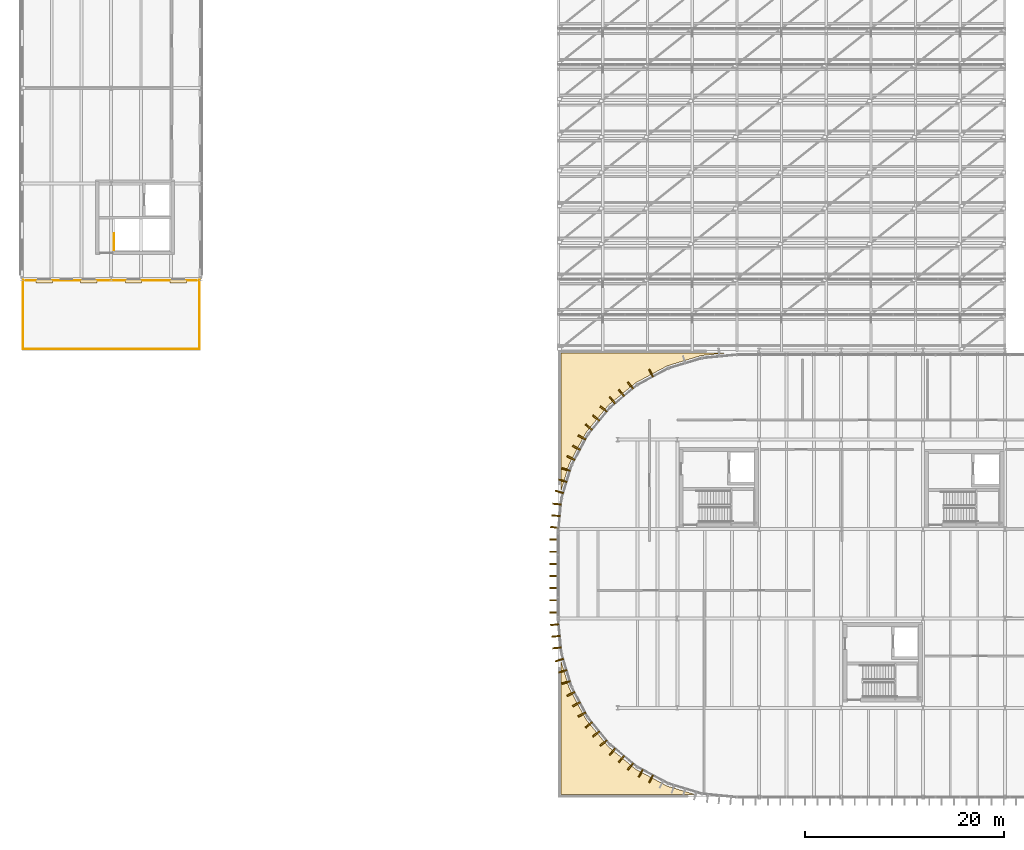
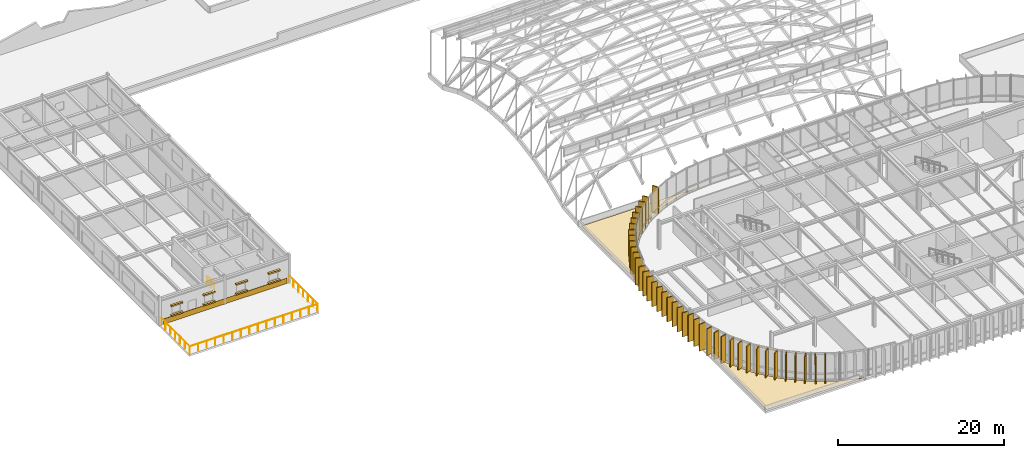
# One storey, part 60 of 69: 51 coverings, 4 railings.
"""IFC4 building model written with IfcOpenShell, lengths in metres."""

from ifc_helpers import new_model, si_unit, direction, frame, origin, origin_2d, place, context, subcontext, project, spatial, polyline, rectangle, circle, outline, extrude, material, layer, layer_set, type_object, element, save


model = new_model("IFC4")

# Units and contexts
model_context = context("Model", 3, precision=1e-05, world=origin(), true_north=direction((0.0, 1.0)))
body_context = subcontext(model_context, "Body", "Model", "MODEL_VIEW")
ifc_project = project(units=[si_unit("LENGTHUNIT", "METRE"), si_unit("AREAUNIT", "SQUARE_METRE"), si_unit("VOLUMEUNIT", "CUBIC_METRE"), si_unit("PLANEANGLEUNIT", "RADIAN"), si_unit("MASSUNIT", "GRAM", prefix="KILO")], contexts=[model_context])

# Site, building, storey
site_placement = place(None, origin())
site = spatial("IfcSite", under=ifc_project, at=site_placement, CompositionType="ELEMENT")
building_placement = place(site_placement, origin())
building = spatial("IfcBuilding", under=site, at=building_placement, Name="Montealbar Specialist Clinic", CompositionType="ELEMENT")
storey_placement = place(building_placement, frame((0.0, 0.0, 9.60009765625)))
storey = spatial("IfcBuildingStorey", under=building, at=storey_placement, Name="L02", CompositionType="ELEMENT", Elevation=9.60009765625)

# Coverings
ifc_material_1 = material(Name="Terracotta architectural cladding", Category="masonry")
ifc_layer_1 = layer(ifc_material_1, 0.044921875, Name="Terracotta architectural cladding", Category="masonry")
ifc_layer_set_1 = layer_set([ifc_layer_1], Name="Terracotta architectural cladding")
covering_type_1 = type_object("IfcCoveringType", Name="COV-CLAD-TERRA", PredefinedType="CLADDING", material=ifc_layer_set_1)
covering_1_placement = place(storey_placement, frame((9.0, 52.0400390625, 0.02978515625), z_axis=(0.0, 0.0, 1.0), x_axis=(-1.0, 0.0, 0.0)))
element("IfcCovering", 1, at=covering_1_placement, inside=storey, type_object=covering_type_1, Name="Facade Plinth Cladding Band L02-042", PredefinedType="CLADDING", context=body_context, shape_type="SweptSolid", body=[
    extrude(rectangle(XDim=17.199951171875, YDim=0.044921875, at=origin_2d()), origin(), (0.0, 0.0, 1.0), 0.780029296875),
])
ifc_material_2 = material(Name="Thermally modified timber cladding", Category="wood")
ifc_layer_2 = layer(ifc_material_2, 0.139892578125, Name="Thermally modified timber cladding", Category="wood")
ifc_layer_set_2 = layer_set([ifc_layer_2], Name="Thermally modified timber cladding")
covering_type_2 = type_object("IfcCoveringType", Name="COV-FIN-TIMBER-850", PredefinedType="CLADDING", material=ifc_layer_set_2)
for number, where, z_axis, x_axis, name in (
    (2, (54.134033203125, 30.740966796875, 0.0), (0.0, 0.0, 1.0), (-0.956948083701, 0.290259134399, 0.0), "Vertical Timber Solar Fin CF-L02-0065"),
    (3, (54.47509765625, 31.865966796875, 0.0), (0.0, 0.0, 1.0), (-0.956948083701, 0.290259134399, 0.0), "Vertical Timber Solar Fin CF-L02-0066"),
    (4, (54.81689453125, 32.990966796875, 0.0), (0.0, 0.0, 1.0), (-0.956948083701, 0.290259134399, 0.0), "Vertical Timber Solar Fin CF-L02-0067"),
    (5, (55.294921875, 34.14501953125, 0.0), (0.0, 0.0, 1.0), (-0.881850411644, 0.471529268958, 0.0), "Vertical Timber Solar Fin CF-L02-0068"),
    (6, (55.84912109375, 35.18310546875, 0.0), (0.0, 0.0, 1.0), (-0.881850411644, 0.471529268958, 0.0), "Vertical Timber Solar Fin CF-L02-0069"),
    (7, (56.404052734375, 36.219970703125, 0.0), (0.0, 0.0, 1.0), (-0.881850411644, 0.471529268958, 0.0), "Vertical Timber Solar Fin CF-L02-0070"),
    (8, (57.097900390625, 37.258056640625, 0.0), (0.0, 0.0, 1.0), (-0.773123255923, 0.634255808922, 0.0), "Vertical Timber Solar Fin CF-L02-0071"),
    (9, (57.843994140625, 38.16796875, 0.0), (0.0, 0.0, 1.0), (-0.773123255923, 0.634255808922, 0.0), "Vertical Timber Solar Fin CF-L02-0072"),
    (10, (58.590087890625, 39.076904296875, 0.0), (0.0, 0.0, 1.0), (-0.773123255923, 0.634255808922, 0.0), "Vertical Timber Solar Fin CF-L02-0073"),
    (11, (59.472900390625, 39.9599609375, 0.0), (0.0, 0.0, 1.0), (-0.634255808922, 0.773123255923, 0.0), "Vertical Timber Solar Fin CF-L02-0074"),
    (12, (60.382080078125, 40.7060546875, 0.0), (0.0, 0.0, 1.0), (-0.634255808922, 0.773123255923, 0.0), "Vertical Timber Solar Fin CF-L02-0075"),
    (13, (61.2919921875, 41.451904296875, 0.0), (0.0, 0.0, 1.0), (-0.634255808922, 0.773123255923, 0.0), "Vertical Timber Solar Fin CF-L02-0076"),
    (14, (63.366943359375, 42.700927734375, 0.0), (0.0, 0.0, 1.0), (-0.471529268958, 0.881850411644, 0.0), "Vertical Timber Solar Fin CF-L02-0077"),
    (15, (63.366943359375, 1.84912109375, 0.0), (0.0, 0.0, 1.0), (-0.471529268958, -0.881850411644, 0.0), "Vertical Timber Solar Fin CF-L02-0143"),
    (16, (62.330078125, 2.404052734375, 0.0), (0.0, 0.0, 1.0), (-0.471529268958, -0.881850411644, 0.0), "Vertical Timber Solar Fin CF-L02-0144"),
    (17, (61.2919921875, 3.097900390625, 0.0), (0.0, 0.0, 1.0), (-0.634255808922, -0.773123255923, 0.0), "Vertical Timber Solar Fin CF-L02-0145"),
    (18, (60.382080078125, 3.843994140625, 0.0), (0.0, 0.0, 1.0), (-0.634255808922, -0.773123255923, 0.0), "Vertical Timber Solar Fin CF-L02-0146"),
    (19, (59.472900390625, 4.590087890625, 0.0), (0.0, 0.0, 1.0), (-0.634255808922, -0.773123255923, 0.0), "Vertical Timber Solar Fin CF-L02-0147"),
    (20, (58.590087890625, 5.472900390625, 0.0), (0.0, 0.0, 1.0), (-0.773123255923, -0.634255808922, 0.0), "Vertical Timber Solar Fin CF-L02-0148"),
    (21, (57.843994140625, 6.382080078125, 0.0), (0.0, 0.0, 1.0), (-0.773123255923, -0.634255808922, 0.0), "Vertical Timber Solar Fin CF-L02-0149"),
    (22, (57.097900390625, 7.2919921875, 0.0), (0.0, 0.0, 1.0), (-0.773123255923, -0.634255808922, 0.0), "Vertical Timber Solar Fin CF-L02-0150"),
    (23, (56.404052734375, 8.330078125, 0.0), (0.0, 0.0, 1.0), (-0.881850411644, -0.471529268958, 0.0), "Vertical Timber Solar Fin CF-L02-0151"),
    (24, (55.84912109375, 9.366943359375, 0.0), (0.0, 0.0, 1.0), (-0.881850411644, -0.471529268958, 0.0), "Vertical Timber Solar Fin CF-L02-0152"),
    (25, (55.294921875, 10.405029296875, 0.0), (0.0, 0.0, 1.0), (-0.881850411644, -0.471529268958, 0.0), "Vertical Timber Solar Fin CF-L02-0153"),
    (26, (54.81689453125, 11.55908203125, 0.0), (0.0, 0.0, 1.0), (-0.956948083701, -0.290259134399, 0.0), "Vertical Timber Solar Fin CF-L02-0154"),
    (27, (54.47509765625, 12.68408203125, 0.0), (0.0, 0.0, 1.0), (-0.956948083701, -0.290259134399, 0.0), "Vertical Timber Solar Fin CF-L02-0155"),
    (28, (54.134033203125, 13.80908203125, 0.0), (0.0, 0.0, 1.0), (-0.956948083701, -0.290259134399, 0.0), "Vertical Timber Solar Fin CF-L02-0156"),
    (29, (53.889892578125, 15.033935546875, 0.0), (0.0, 0.0, 1.0), (-0.995182012183, -0.098044697094, 0.0), "Vertical Timber Solar Fin CF-L02-0157"),
    (30, (53.77490234375, 16.205078125, 0.0), (0.0, 0.0, 1.0), (-0.995182012183, -0.098044697094, 0.0), "Vertical Timber Solar Fin CF-L02-0158"),
    (31, (53.659912109375, 17.375, 0.0), (0.0, 0.0, 1.0), (-0.995182012183, -0.098044697094, 0.0), "Vertical Timber Solar Fin CF-L02-0159"),
):
    element("IfcCovering", number, at=place(storey_placement, frame(where, z_axis=z_axis, x_axis=x_axis)), inside=storey, type_object=covering_type_2, Name=name, PredefinedType="CLADDING", context=body_context, shape_type="SweptSolid", body=[
        extrude(rectangle(XDim=0.85009765625, YDim=0.139892578125, at=origin_2d()), origin(), (0.0, 0.0, 1.0), 3.929931640625),
    ])
for number, where, z_axis, x_axis, name in (
    (32, (53.60009765625, 18.611083984375, 0.0), (0.0, 0.0, 1.0), (-1.0, 0.0, 0.0), "Vertical Timber Solar Fin CF-L02-0160"),
    (33, (53.60009765625, 19.83203125, 0.0), (0.0, 0.0, 1.0), (-1.0, 0.0, 0.0), "Vertical Timber Solar Fin CF-L02-0161"),
    (34, (53.60009765625, 21.053955078125, 0.0), (0.0, 0.0, 1.0), (-1.0, 0.0, 0.0), "Vertical Timber Solar Fin CF-L02-0162"),
    (35, (53.60009765625, 22.27490234375, 0.0), (0.0, 0.0, 1.0), (-1.0, 0.0, 0.0), "Vertical Timber Solar Fin CF-L02-0163"),
    (36, (53.60009765625, 23.49609375, 0.0), (0.0, 0.0, 1.0), (-1.0, 0.0, 0.0), "Vertical Timber Solar Fin CF-L02-0164"),
    (37, (53.60009765625, 24.718017578125, 0.0), (0.0, 0.0, 1.0), (-1.0, 0.0, 0.0), "Vertical Timber Solar Fin CF-L02-0165"),
    (38, (53.60009765625, 25.93896484375, 0.0), (0.0, 0.0, 1.0), (-1.0, 0.0, 0.0), "Vertical Timber Solar Fin CF-L02-0166"),
    (39, (53.659912109375, 27.175048828125, 0.0), (0.0, 0.0, 1.0), (-0.995182012183, 0.098044697094, 0.0), "Vertical Timber Solar Fin CF-L02-0167"),
    (40, (53.77490234375, 28.344970703125, 0.0), (0.0, 0.0, 1.0), (-0.995182012183, 0.098044697094, 0.0), "Vertical Timber Solar Fin CF-L02-0168"),
    (41, (53.889892578125, 29.51611328125, 0.0), (0.0, 0.0, 1.0), (-0.995182012183, 0.098044697094, 0.0), "Vertical Timber Solar Fin CF-L02-0169"),
):
    element("IfcCovering", number, at=place(storey_placement, frame(where, z_axis=z_axis, x_axis=x_axis)), inside=storey, type_object=covering_type_2, Name=name, PredefinedType="CLADDING", context=body_context, shape_type="SweptSolid", body=[
        extrude(rectangle(XDim=0.85009765625, YDim=0.139892578125, at=origin_2d()), origin(), (0.0, 0.0, 1.0), 3.530029296875),
    ])
ifc_material_3 = material(Name="Guadarrama granite ashlar", Category="masonry")
ifc_layer_3 = layer(ifc_material_3, 0.280029296875, Name="Guadarrama granite ashlar", Category="masonry")
ifc_layer_set_3 = layer_set([ifc_layer_3], Name="Guadarrama granite ashlar")
covering_type_3 = type_object("IfcCoveringType", Name="COV-HOOD-OCULUS", PredefinedType="CLADDING", material=ifc_layer_set_3)
for number, where, z_axis, x_axis, name in (
    (42, (15.75, 51.925048828125, 2.35009765625), (0.0, 0.0, 1.0), (-1.0, 0.0, 0.0), "Postmodern Oculus Stone Frame L02-065-TOP"),
    (43, (15.75, 51.925048828125, 0.9296875), (0.0, 0.0, 1.0), (-1.0, 0.0, 0.0), "Postmodern Oculus Stone Frame L02-065-BOT"),
    (44, (11.25, 51.925048828125, 2.35009765625), (0.0, 0.0, 1.0), (-1.0, 0.0, 0.0), "Postmodern Oculus Stone Frame L02-066-TOP"),
    (45, (11.25, 51.925048828125, 0.9296875), (0.0, 0.0, 1.0), (-1.0, 0.0, 0.0), "Postmodern Oculus Stone Frame L02-066-BOT"),
    (46, (6.75, 51.925048828125, 2.35009765625), (0.0, 0.0, 1.0), (-1.0, 0.0, 0.0), "Postmodern Oculus Stone Frame L02-067-TOP"),
    (47, (6.75, 51.925048828125, 0.9296875), (0.0, 0.0, 1.0), (-1.0, 0.0, 0.0), "Postmodern Oculus Stone Frame L02-067-BOT"),
    (48, (2.25, 51.925048828125, 2.35009765625), (0.0, 0.0, 1.0), (-1.0, 0.0, 0.0), "Postmodern Oculus Stone Frame L02-068-TOP"),
    (49, (2.25, 51.925048828125, 0.9296875), (0.0, 0.0, 1.0), (-1.0, 0.0, 0.0), "Postmodern Oculus Stone Frame L02-068-BOT"),
):
    element("IfcCovering", number, at=place(storey_placement, frame(where, z_axis=z_axis, x_axis=x_axis)), inside=storey, type_object=covering_type_3, Name=name, PredefinedType="CLADDING", context=body_context, shape_type="SweptSolid", body=[
        extrude(rectangle(XDim=1.639892578125, YDim=0.280029296875, at=origin_2d()), origin(), (0.0, 0.0, 1.0), 0.199951171875),
    ])
ifc_material_4 = material(Name="Weatherproof roofing membrane", Category="concrete")
ifc_layer_4 = layer(ifc_material_4, 0.030029296875, Name="Weatherproof roofing membrane", Category="concrete")
ifc_layer_set_4 = layer_set([ifc_layer_4], Name="Weatherproof roofing membrane")
covering_type_4 = type_object("IfcCoveringType", Name="COV-ROOF-MEMB", PredefinedType="ROOFING", material=ifc_layer_set_4)
covering_2_placement = place(storey_placement, origin())
element("IfcCovering", 50, at=covering_2_placement, inside=storey, type_object=covering_type_4, Name="Weatherproof Roof Membrane ROOF-L02-05", PredefinedType="ROOFING", context=body_context, shape_type="SweptSolid", body=[
    extrude(outline(polyline([(54.280029296875, 30.80908203125), (54.280029296875, 44.719970703125), (70.8701171875, 44.719970703125), (68.4609375, 44.48291015625), (68.43310546875, 44.47900390625), (68.406982421875, 44.471923828125), (65.031005859375, 43.447998046875), (65.0048828125, 43.43896484375), (64.97998046875, 43.427001953125), (61.867919921875, 41.762939453125), (61.843994140625, 41.7490234375), (61.822021484375, 41.73193359375), (59.093994140625, 39.493896484375), (59.073974609375, 39.47607421875), (59.055908203125, 39.4560546875), (56.818115234375, 36.72802734375), (56.801025390625, 36.7060546875), (56.787109375, 36.681884765625), (55.123046875, 33.570068359375), (55.111083984375, 33.544921875), (55.10205078125, 33.51904296875), (54.280029296875, 30.80908203125)])), origin(), (0.0, 0.0, 1.0), 0.02978515625),
])
covering_3_placement = place(storey_placement, origin())
element("IfcCovering", 51, at=covering_3_placement, inside=storey, type_object=covering_type_4, Name="Weatherproof Roof Membrane ROOF-L02-06", PredefinedType="ROOFING", context=body_context, shape_type="SweptSolid", body=[
    extrude(outline(polyline([(54.280029296875, 13.740966796875), (55.10205078125, 11.031005859375), (55.111083984375, 11.0048828125), (55.123046875, 10.97998046875), (56.787109375, 7.867919921875), (56.801025390625, 7.843994140625), (56.818115234375, 7.822021484375), (59.055908203125, 5.093994140625), (59.073974609375, 5.073974609375), (59.093994140625, 5.055908203125), (61.822021484375, 2.818115234375), (61.843994140625, 2.801025390625), (61.867919921875, 2.787109375), (64.97998046875, 1.123046875), (65.0048828125, 1.111083984375), (65.031005859375, 1.10205078125), (67.740966796875, 0.280029296875), (54.280029296875, 0.280029296875), (54.280029296875, 13.740966796875)])), origin(), (0.0, 0.0, 1.0), 0.02978515625),
])

# Railings
ifc_material_5 = material(Name="Steel S355", Category="steel")
ifc_layer_5 = layer(ifc_material_5, 0.06005859375, Name="Steel S355", Category="steel")
ifc_layer_set_5 = layer_set([ifc_layer_5], Name="Steel S355")
railing_type_1 = type_object("IfcRailingType", Name="RAIL-EXT-BAL-1100", PredefinedType="BALUSTRADE", material=ifc_layer_set_5)
railing_1_placement = place(storey_placement, frame((0.1201171875, 45.1201171875, 0.0)))
element("IfcRailing", 52, at=railing_1_placement, inside=storey, type_object=railing_type_1, Name="Terrace Safety Balustrade TERR-L02-V2S-S", PredefinedType="BALUSTRADE", context=body_context, shape_type="SweptSolid", body=[
    extrude(circle(Radius=0.02392578125, at=origin_2d()), frame((0.0, 0.0, 1.09619140625), z_axis=(1.0, 0.0, 0.0), x_axis=(0.0, 1.0, 0.0)), (0.0, 0.0, 1.0), 17.759765625),
    extrude(circle(Radius=0.02099609375, at=origin_2d()), frame((0.0, 0.0, -0.02490234375)), (0.0, 0.0, 1.0), 1.096923828125),
    extrude(circle(Radius=0.02099609375, at=origin_2d()), frame((1.18408203125, 0.0, -0.02490234375)), (0.0, 0.0, 1.0), 1.096923828125),
    extrude(circle(Radius=0.02099609375, at=origin_2d()), frame((2.367919921875, 0.0, -0.02490234375)), (0.0, 0.0, 1.0), 1.096923828125),
    extrude(circle(Radius=0.02099609375, at=origin_2d()), frame((3.552001953125, 0.0, -0.02490234375)), (0.0, 0.0, 1.0), 1.096923828125),
    extrude(circle(Radius=0.02099609375, at=origin_2d()), frame((4.73583984375, 0.0, -0.02490234375)), (0.0, 0.0, 1.0), 1.096923828125),
    extrude(circle(Radius=0.02099609375, at=origin_2d()), frame((5.919921875, 0.0, -0.02490234375)), (0.0, 0.0, 1.0), 1.096923828125),
    extrude(circle(Radius=0.02099609375, at=origin_2d()), frame((7.10400390625, 0.0, -0.02490234375)), (0.0, 0.0, 1.0), 1.096923828125),
    extrude(circle(Radius=0.02099609375, at=origin_2d()), frame((8.287841796875, 0.0, -0.02490234375)), (0.0, 0.0, 1.0), 1.096923828125),
    extrude(circle(Radius=0.02099609375, at=origin_2d()), frame((9.471923828125, 0.0, -0.02490234375)), (0.0, 0.0, 1.0), 1.096923828125),
    extrude(circle(Radius=0.02099609375, at=origin_2d()), frame((10.65576171875, 0.0, -0.02490234375)), (0.0, 0.0, 1.0), 1.096923828125),
    extrude(circle(Radius=0.02099609375, at=origin_2d()), frame((11.83984375, 0.0, -0.02490234375)), (0.0, 0.0, 1.0), 1.096923828125),
    extrude(circle(Radius=0.02099609375, at=origin_2d()), frame((13.02392578125, 0.0, -0.02490234375)), (0.0, 0.0, 1.0), 1.096923828125),
    extrude(circle(Radius=0.02099609375, at=origin_2d()), frame((14.207763671875, 0.0, -0.02490234375)), (0.0, 0.0, 1.0), 1.096923828125),
    extrude(circle(Radius=0.02099609375, at=origin_2d()), frame((15.391845703125, 0.0, -0.02490234375)), (0.0, 0.0, 1.0), 1.096923828125),
    extrude(circle(Radius=0.02099609375, at=origin_2d()), frame((16.57568359375, 0.0, -0.02490234375)), (0.0, 0.0, 1.0), 1.096923828125),
    extrude(circle(Radius=0.02099609375, at=origin_2d()), frame((17.759765625, 0.0, -0.02490234375)), (0.0, 0.0, 1.0), 1.096923828125),
])
for number, where, name in (
    (53, (0.1201171875, 45.1201171875, 0.0), "Terrace Safety Balustrade TERR-L02-V2S-W"),
    (54, (17.8798828125, 45.1201171875, 0.0), "Terrace Safety Balustrade TERR-L02-V2S-E"),
):
    element("IfcRailing", number, at=place(storey_placement, frame(where)), inside=storey, type_object=railing_type_1, Name=name, PredefinedType="BALUSTRADE", context=body_context, shape_type="SweptSolid", body=[
        extrude(circle(Radius=0.02392578125, at=origin_2d()), frame((0.0, 0.0, 1.09619140625), z_axis=(0.0, 1.0, 0.0), x_axis=(-1.0, 0.0, 0.0)), (0.0, 0.0, 1.0), 6.9599609375),
        extrude(circle(Radius=0.02099609375, at=origin_2d()), frame((0.0, 0.0, -0.02490234375)), (0.0, 0.0, 1.0), 1.096923828125),
        extrude(circle(Radius=0.02099609375, at=origin_2d()), frame((0.0, 1.159912109375, -0.02490234375)), (0.0, 0.0, 1.0), 1.096923828125),
        extrude(circle(Radius=0.02099609375, at=origin_2d()), frame((0.0, 2.320068359375, -0.02490234375)), (0.0, 0.0, 1.0), 1.096923828125),
        extrude(circle(Radius=0.02099609375, at=origin_2d()), frame((0.0, 3.47998046875, -0.02490234375)), (0.0, 0.0, 1.0), 1.096923828125),
        extrude(circle(Radius=0.02099609375, at=origin_2d()), frame((0.0, 4.639892578125, -0.02490234375)), (0.0, 0.0, 1.0), 1.096923828125),
        extrude(circle(Radius=0.02099609375, at=origin_2d()), frame((0.0, 5.800048828125, -0.02490234375)), (0.0, 0.0, 1.0), 1.096923828125),
        extrude(circle(Radius=0.02099609375, at=origin_2d()), frame((0.0, 6.9599609375, -0.02490234375)), (0.0, 0.0, 1.0), 1.096923828125),
    ])
ifc_layer_6 = layer(ifc_material_5, 0.050048828125, Name="Steel S355", Category="steel")
ifc_layer_set_6 = layer_set([ifc_layer_6], Name="Steel S355")
railing_type_2 = type_object("IfcRailingType", Name="RAIL-STAIR-BAL-1100", PredefinedType="BALUSTRADE", material=ifc_layer_set_6)
railing_2_placement = place(storey_placement, frame((9.300048828125, 55.10009765625, 0.0)))
element("IfcRailing", 55, at=railing_2_placement, inside=storey, type_object=railing_type_2, Name="L02 ST-01 top well guard 1", PredefinedType="BALUSTRADE", context=body_context, shape_type="SweptSolid", body=[
    extrude(circle(Radius=0.02392578125, at=origin_2d()), frame((0.0, 0.0, 1.076171875), z_axis=(0.0, 1.0, 0.0), x_axis=(-1.0, 0.0, 0.0)), (0.0, 0.0, 1.0), 1.64990234375),
    extrude(circle(Radius=0.02099609375, at=origin_2d()), frame((0.0, 0.0, -0.02490234375)), (0.0, 0.0, 1.0), 1.076904296875),
    extrude(circle(Radius=0.02099609375, at=origin_2d()), frame((0.0, 0.824951171875, -0.02490234375)), (0.0, 0.0, 1.0), 1.076904296875),
    extrude(circle(Radius=0.02099609375, at=origin_2d()), frame((0.0, 1.64990234375, -0.02490234375)), (0.0, 0.0, 1.0), 1.076904296875),
])

save(model, "model.ifc")
